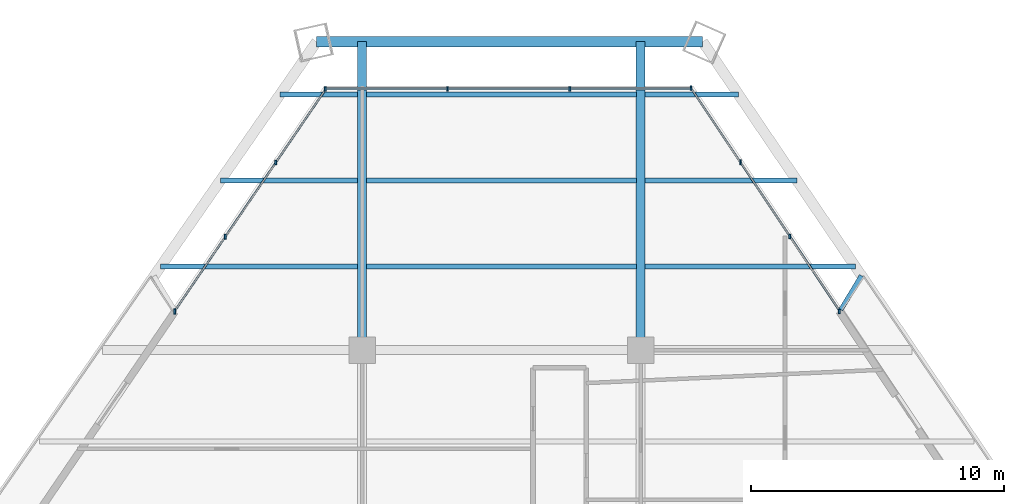
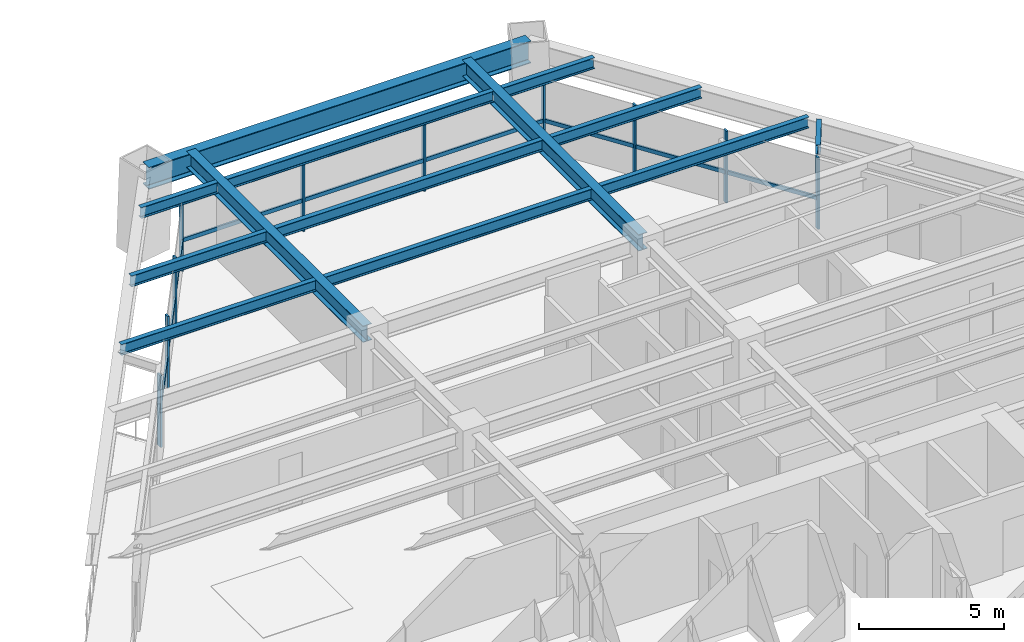
# One storey, part 8 of 14: 20 members, 13 beams, 3 elements without a shape of their own.
"""IFC4 building model written with IfcOpenShell, lengths in metres."""

from ifc_helpers import new_model, si_unit, direction, frame, origin, origin_2d, place, context, subcontext, project, spatial, rectangle, i_section, extrude, source, transform, mapped, material, material_profile, profile_set, type_object, type_shapes, element, aggregate, save


model = new_model("IFC4")

# Units and contexts
model_context = context("Model", 3, precision=1e-05, world=origin(), true_north=direction((0.0, 1.0)))
body_context = subcontext(model_context, "Body", "Model", "MODEL_VIEW")
ifc_project = project(units=[si_unit("LENGTHUNIT", "METRE"), si_unit("AREAUNIT", "SQUARE_METRE"), si_unit("VOLUMEUNIT", "CUBIC_METRE"), si_unit("PLANEANGLEUNIT", "RADIAN"), si_unit("MASSUNIT", "GRAM", prefix="KILO")], contexts=[model_context])

# Site, building, storey
site_placement = place(None, origin())
site = spatial("IfcSite", under=ifc_project, at=site_placement, CompositionType="ELEMENT")
building_placement = place(site_placement, origin())
building = spatial("IfcBuilding", under=site, at=building_placement, Name="Varnakhor Terracotta Tower", CompositionType="ELEMENT")
storey_placement = place(building_placement, frame((0.0, 0.0, 53.39990234375)))
storey = spatial("IfcBuildingStorey", under=building, at=storey_placement, Name="L12", CompositionType="ELEMENT", Elevation=53.39990234375)

# Beams
ifc_material_1 = material(Name="Steel S355", Category="steel")
ifc_material_profile_1 = material_profile(ifc_material_1, i_section(OverallWidth=0.19189453125, OverallDepth=0.462890625, WebThickness=0.010498046875, FlangeThickness=0.017578125, FilletRadius=0.01806640625, at=origin_2d()), Name="W18X60")
ifc_profile_set_1 = profile_set([ifc_material_profile_1], Name="Steel S355")
beam_type_1 = type_object("IfcBeamType", Name="JST-W18X60", PredefinedType="JOIST", material=ifc_profile_set_1)
shared_shape_1 = source(origin(), body_context, "Body", "SweptSolid", [
    extrude(i_section(OverallWidth=0.19189453125, OverallDepth=0.462890625, WebThickness=0.010498046875, FlangeThickness=0.017578125, FilletRadius=0.01806640625, at=origin_2d()), origin(), (0.0, 0.0, 1.0), 10.65283203125),
])
for number, where, z_axis, x_axis, name in (
    (1, (-5.326416015625, 34.800048828125, 3.218505859375), (1.0, 0.0, 0.0), (0.0, 1.0, 0.0), "L12 Composite Floor Joist 7-2"),
    (2, (-5.326416015625, 38.199951171875, 3.218505859375), (1.0, 0.0, 0.0), (0.0, 1.0, 0.0), "L12 Composite Floor Joist 8-2"),
    (3, (-5.326416015625, 41.60009765625, 3.218505859375), (1.0, 0.0, 0.0), (0.0, 1.0, 0.0), "L12 Composite Floor Joist 9-2"),
):
    element("IfcBeam", number, at=place(storey_placement, frame(where, z_axis=z_axis, x_axis=x_axis)), inside=storey, type_object=beam_type_1, Name=name, PredefinedType="JOIST", context=body_context, shape_type="MappedRepresentation", body=[
        mapped(shared_shape_1, transform((0.0, 0.0, 0.0), scale=1.0)),
    ])
ifc_material_profile_2 = material_profile(ifc_material_1, i_section(OverallWidth=0.41796875, OverallDepth=0.927001953125, WebThickness=0.01904296875, FlangeThickness=0.031982421875, FilletRadius=0.01806640625, at=origin_2d()), Name="W36X231")
ifc_profile_set_2 = profile_set([ifc_material_profile_2], Name="Steel S355")
beam_type_2 = type_object("IfcBeamType", Name="BM-W36X231", PredefinedType="BEAM", material=ifc_profile_set_2)
shared_shape_2 = source(origin(), body_context, "Body", "SweptSolid", [
    extrude(i_section(OverallWidth=0.41796875, OverallDepth=0.927001953125, WebThickness=0.01904296875, FlangeThickness=0.031982421875, FilletRadius=0.01806640625, at=origin_2d()), origin(), (0.0, 0.0, 1.0), 15.244384765625),
])
beam_1_placement = place(storey_placement, frame((7.948486328125, 43.68017578125, 2.986572265625), z_axis=(-1.0, 0.0, 0.0), x_axis=(0.0, -1.0, 0.0)))
element("IfcBeam", 4, at=beam_1_placement, inside=storey, type_object=beam_type_2, Name="L12 Perimeter Spandrel 5", PredefinedType="BEAM", context=body_context, shape_type="MappedRepresentation", body=[
    mapped(shared_shape_2, transform((0.0, 0.0, 0.0), scale=1.0)),
])
ifc_material_profile_3 = material_profile(ifc_material_1, i_section(OverallWidth=0.35498046875, OverallDepth=0.695068359375, WebThickness=0.014892578125, FlangeThickness=0.02490234375, FilletRadius=0.01806640625, at=origin_2d()), Name="W27X146")
ifc_profile_set_3 = profile_set([ifc_material_profile_3], Name="Steel S355")
beam_type_3 = type_object("IfcBeamType", Name="BM-W27X146", PredefinedType="BEAM", material=ifc_profile_set_3)
shared_shape_3 = source(origin(), body_context, "Body", "SweptSolid", [
    extrude(i_section(OverallWidth=0.35498046875, OverallDepth=0.695068359375, WebThickness=0.014892578125, FlangeThickness=0.02490234375, FilletRadius=0.01806640625, at=origin_2d()), origin(), (0.0, 0.0, 1.0), 12.18017578125),
])
for number, where, z_axis, x_axis, name in (
    (5, (-5.5, 31.5, 3.1025390625), (0.0, 1.0, 0.0), (-1.0, 0.0, 0.0), "L12 Primary Girder NS3-W"),
    (6, (5.5, 31.5, 3.1025390625), (0.0, 1.0, 0.0), (-1.0, 0.0, 0.0), "L12 Primary Girder NS3-E"),
):
    element("IfcBeam", number, at=place(storey_placement, frame(where, z_axis=z_axis, x_axis=x_axis)), inside=storey, type_object=beam_type_3, Name=name, PredefinedType="BEAM", context=body_context, shape_type="MappedRepresentation", body=[
        mapped(shared_shape_3, transform((0.0, 0.0, 0.0), scale=1.0)),
    ])
shared_shape_4 = source(origin(), body_context, "Body", "SweptSolid", [
    extrude(i_section(OverallWidth=0.19189453125, OverallDepth=0.462890625, WebThickness=0.010498046875, FlangeThickness=0.017578125, FilletRadius=0.01806640625, at=origin_2d()), origin(), (0.0, 0.0, 1.0), 7.784423828125),
])
beam_2_placement = place(storey_placement, frame((-13.4580078125, 34.800048828125, 3.218505859375), z_axis=(1.0, 0.0, 0.0), x_axis=(0.0, 1.0, 0.0)))
element("IfcBeam", 7, at=beam_2_placement, inside=storey, type_object=beam_type_1, Name="L12 Composite Floor Joist 7-1", PredefinedType="JOIST", context=body_context, shape_type="MappedRepresentation", body=[
    mapped(shared_shape_4, transform((0.0, 0.0, 0.0), scale=1.0)),
])
shared_shape_5 = source(origin(), body_context, "Body", "SweptSolid", [
    extrude(i_section(OverallWidth=0.19189453125, OverallDepth=0.462890625, WebThickness=0.010498046875, FlangeThickness=0.017578125, FilletRadius=0.01806640625, at=origin_2d()), origin(), (0.0, 0.0, 1.0), 8.30419921875),
])
beam_3_placement = place(storey_placement, frame((5.673583984375, 34.800048828125, 3.218505859375), z_axis=(1.0, 0.0, 0.0), x_axis=(0.0, 1.0, 0.0)))
element("IfcBeam", 8, at=beam_3_placement, inside=storey, type_object=beam_type_1, Name="L12 Composite Floor Joist 7-3", PredefinedType="JOIST", context=body_context, shape_type="MappedRepresentation", body=[
    mapped(shared_shape_5, transform((0.0, 0.0, 0.0), scale=1.0)),
])
shared_shape_6 = source(origin(), body_context, "Body", "SweptSolid", [
    extrude(i_section(OverallWidth=0.19189453125, OverallDepth=0.462890625, WebThickness=0.010498046875, FlangeThickness=0.017578125, FilletRadius=0.01806640625, at=origin_2d()), origin(), (0.0, 0.0, 1.0), 5.425048828125),
])
beam_4_placement = place(storey_placement, frame((-11.0986328125, 38.199951171875, 3.218505859375), z_axis=(1.0, 0.0, 0.0), x_axis=(0.0, 1.0, 0.0)))
element("IfcBeam", 9, at=beam_4_placement, inside=storey, type_object=beam_type_1, Name="L12 Composite Floor Joist 8-1", PredefinedType="JOIST", context=body_context, shape_type="MappedRepresentation", body=[
    mapped(shared_shape_6, transform((0.0, 0.0, 0.0), scale=1.0)),
])
shared_shape_7 = source(origin(), body_context, "Body", "SweptSolid", [
    extrude(i_section(OverallWidth=0.19189453125, OverallDepth=0.462890625, WebThickness=0.010498046875, FlangeThickness=0.017578125, FilletRadius=0.01806640625, at=origin_2d()), origin(), (0.0, 0.0, 1.0), 5.995849609375),
])
beam_5_placement = place(storey_placement, frame((5.673583984375, 38.199951171875, 3.218505859375), z_axis=(1.0, 0.0, 0.0), x_axis=(0.0, 1.0, 0.0)))
element("IfcBeam", 10, at=beam_5_placement, inside=storey, type_object=beam_type_1, Name="L12 Composite Floor Joist 8-3", PredefinedType="JOIST", context=body_context, shape_type="MappedRepresentation", body=[
    mapped(shared_shape_7, transform((0.0, 0.0, 0.0), scale=1.0)),
])
shared_shape_8 = source(origin(), body_context, "Body", "SweptSolid", [
    extrude(i_section(OverallWidth=0.19189453125, OverallDepth=0.462890625, WebThickness=0.010498046875, FlangeThickness=0.017578125, FilletRadius=0.01806640625, at=origin_2d()), origin(), (0.0, 0.0, 1.0), 3.06591796875),
])
beam_6_placement = place(storey_placement, frame((-8.739501953125, 41.60009765625, 3.218505859375), z_axis=(1.0, 0.0, 0.0), x_axis=(0.0, 1.0, 0.0)))
element("IfcBeam", 11, at=beam_6_placement, inside=storey, type_object=beam_type_1, Name="L12 Composite Floor Joist 9-1", PredefinedType="JOIST", context=body_context, shape_type="MappedRepresentation", body=[
    mapped(shared_shape_8, transform((0.0, 0.0, 0.0), scale=1.0)),
])
shared_shape_9 = source(origin(), body_context, "Body", "SweptSolid", [
    extrude(i_section(OverallWidth=0.19189453125, OverallDepth=0.462890625, WebThickness=0.010498046875, FlangeThickness=0.017578125, FilletRadius=0.01806640625, at=origin_2d()), origin(), (0.0, 0.0, 1.0), 3.6875),
])
beam_7_placement = place(storey_placement, frame((5.673583984375, 41.60009765625, 3.218505859375), z_axis=(1.0, 0.0, 0.0), x_axis=(0.0, 1.0, 0.0)))
element("IfcBeam", 12, at=beam_7_placement, inside=storey, type_object=beam_type_1, Name="L12 Composite Floor Joist 9-3", PredefinedType="JOIST", context=body_context, shape_type="MappedRepresentation", body=[
    mapped(shared_shape_9, transform((0.0, 0.0, 0.0), scale=1.0)),
])

# Curtain wall, members
ifc_material_2 = material(Name="Anodised Aluminium Curtain Wall System", Category="aluminium")
curtain_wall_type = type_object("IfcCurtainWallType", Name="CW-SYS-LOW-OFFICE", PredefinedType="NOTDEFINED", material=ifc_material_2)
curtain_wall_1_placement = place(storey_placement, origin())
curtain_wall_1 = element("IfcCurtainWall", 13, at=curtain_wall_1_placement, inside=storey, type_object=curtain_wall_type, Name="L12 W Facet Curtain Wall 2", PredefinedType="NOTDEFINED")
ifc_material_3 = material(Name="Anodised Aluminium 6063-T6", Category="aluminium")
ifc_material_profile_4 = material_profile(ifc_material_3, rectangle(XDim=0.074951171875, YDim=0.18505859375, at=origin_2d()), Name="ALU MULLION 75x185")
ifc_profile_set_4 = profile_set([ifc_material_profile_4], Name="Anodised Aluminium 6063-T6")
member_type_1 = type_object("IfcMemberType", Name="CWM-02", PredefinedType="MULLION", material=ifc_profile_set_4)
shared_shape_10 = source(origin(), body_context, "Body", "SweptSolid", [
    extrude(rectangle(XDim=0.074951171875, YDim=0.18505859375, at=origin_2d()), origin(), (0.0, 0.0, 1.0), 3.030029296875),
])
type_shapes(member_type_1, [shared_shape_10])
member_1_placement = place(storey_placement, frame((-12.896728515625, 33.050048828125, 0.0), z_axis=(0.0, 0.0, 1.0), x_axis=(1.0, 0.0, 0.0)))
member_1 = element("IfcMember", 14, at=member_1_placement, type_object=member_type_1, Name="L12 W Facet Curtain Wall 2 Mullion 1", PredefinedType="MULLION", context=body_context, shape_type="MappedRepresentation", body=[
    mapped(shared_shape_10, transform((0.0, 0.0, 0.0), scale=1.0)),
])
member_2_placement = place(storey_placement, frame((-10.900634765625, 35.98193359375, 0.0), z_axis=(0.0, 0.0, 1.0), x_axis=(1.0, 0.0, 0.0)))
member_2 = element("IfcMember", 15, at=member_2_placement, type_object=member_type_1, Name="L12 W Facet Curtain Wall 2 Mullion 2", PredefinedType="MULLION", context=body_context, shape_type="MappedRepresentation", body=[
    mapped(shared_shape_10, transform((0.0, 0.0, 0.0), scale=1.0)),
])
member_3_placement = place(storey_placement, frame((-8.904541015625, 38.913818359375, 0.0), z_axis=(0.0, 0.0, 1.0), x_axis=(1.0, 0.0, 0.0)))
member_3 = element("IfcMember", 16, at=member_3_placement, type_object=member_type_1, Name="L12 W Facet Curtain Wall 2 Mullion 3", PredefinedType="MULLION", context=body_context, shape_type="MappedRepresentation", body=[
    mapped(shared_shape_10, transform((0.0, 0.0, 0.0), scale=1.0)),
])
member_4_placement = place(storey_placement, frame((-12.89697265625, 33.013916015625, 0.0), z_axis=(0.0, 0.0, 1.0), x_axis=(1.0, 0.0, 0.0)))
member_4 = element("IfcMember", 17, at=member_4_placement, type_object=member_type_1, Name="L12 W Loggia Jamb Closure Mullion 2", PredefinedType="MULLION", context=body_context, shape_type="MappedRepresentation", body=[
    mapped(shared_shape_10, transform((0.0, 0.0, 0.0), scale=1.0)),
])

curtain_wall_2_placement = place(storey_placement, origin())
curtain_wall_2 = element("IfcCurtainWall", 18, at=curtain_wall_2_placement, inside=storey, type_object=curtain_wall_type, Name="L12 Facet Curtain Wall 2", PredefinedType="NOTDEFINED")
member_5_placement = place(storey_placement, frame((-6.9609375, 41.818115234375, 0.0), z_axis=(0.0, 0.0, 1.0), x_axis=(1.0, 0.0, 0.0)))
member_5 = element("IfcMember", 19, at=member_5_placement, type_object=member_type_1, Name="L12 Facet Curtain Wall 2 Mullion 1", PredefinedType="MULLION", context=body_context, shape_type="MappedRepresentation", body=[
    mapped(shared_shape_10, transform((0.0, 0.0, 0.0), scale=1.0)),
])
member_6_placement = place(storey_placement, frame((-2.126953125, 41.818115234375, 0.0), z_axis=(0.0, 0.0, 1.0), x_axis=(1.0, 0.0, 0.0)))
member_6 = element("IfcMember", 20, at=member_6_placement, type_object=member_type_1, Name="L12 Facet Curtain Wall 2 Mullion 2", PredefinedType="MULLION", context=body_context, shape_type="MappedRepresentation", body=[
    mapped(shared_shape_10, transform((0.0, 0.0, 0.0), scale=1.0)),
])
member_7_placement = place(storey_placement, frame((2.70703125, 41.818115234375, 0.0), z_axis=(0.0, 0.0, 1.0), x_axis=(1.0, 0.0, 0.0)))
member_7 = element("IfcMember", 21, at=member_7_placement, type_object=member_type_1, Name="L12 Facet Curtain Wall 2 Mullion 3", PredefinedType="MULLION", context=body_context, shape_type="MappedRepresentation", body=[
    mapped(shared_shape_10, transform((0.0, 0.0, 0.0), scale=1.0)),
])

curtain_wall_3_placement = place(storey_placement, origin())
curtain_wall_3 = element("IfcCurtainWall", 22, at=curtain_wall_3_placement, inside=storey, type_object=curtain_wall_type, Name="L12 E Facet Curtain Wall 1", PredefinedType="NOTDEFINED")
member_8_placement = place(storey_placement, frame((7.48779296875, 41.8466796875, 0.0), z_axis=(0.0, 0.0, 1.0), x_axis=(1.0, 0.0, 0.0)))
member_8 = element("IfcMember", 23, at=member_8_placement, type_object=member_type_1, Name="L12 E Facet Curtain Wall 1 Mullion 1", PredefinedType="MULLION", context=body_context, shape_type="MappedRepresentation", body=[
    mapped(shared_shape_10, transform((0.0, 0.0, 0.0), scale=1.0)),
])
member_9_placement = place(storey_placement, frame((9.4404296875, 38.919189453125, 0.0), z_axis=(0.0, 0.0, 1.0), x_axis=(1.0, 0.0, 0.0)))
member_9 = element("IfcMember", 24, at=member_9_placement, type_object=member_type_1, Name="L12 E Facet Curtain Wall 1 Mullion 2", PredefinedType="MULLION", context=body_context, shape_type="MappedRepresentation", body=[
    mapped(shared_shape_10, transform((0.0, 0.0, 0.0), scale=1.0)),
])
member_10_placement = place(storey_placement, frame((11.392822265625, 35.99169921875, 0.0), z_axis=(0.0, 0.0, 1.0), x_axis=(1.0, 0.0, 0.0)))
member_10 = element("IfcMember", 25, at=member_10_placement, type_object=member_type_1, Name="L12 E Facet Curtain Wall 1 Mullion 3", PredefinedType="MULLION", context=body_context, shape_type="MappedRepresentation", body=[
    mapped(shared_shape_10, transform((0.0, 0.0, 0.0), scale=1.0)),
])
member_11_placement = place(storey_placement, frame((13.345458984375, 33.0283203125, 0.0), z_axis=(0.0, 0.0, 1.0), x_axis=(1.0, 0.0, 0.0)))
member_11 = element("IfcMember", 26, at=member_11_placement, type_object=member_type_1, Name="L12 E Loggia Jamb Closure Mullion 1", PredefinedType="MULLION", context=body_context, shape_type="MappedRepresentation", body=[
    mapped(shared_shape_10, transform((0.0, 0.0, 0.0), scale=1.0)),
])

# Member
ifc_material_profile_5 = material_profile(ifc_material_3, rectangle(XDim=0.074951171875, YDim=0.1650390625, at=origin_2d()), Name="ALU TRANSOM 75x165")
ifc_profile_set_5 = profile_set([ifc_material_profile_5], Name="Anodised Aluminium 6063-T6")
member_type_2 = type_object("IfcMemberType", Name="CWT-02", PredefinedType="USERDEFINED", material=ifc_profile_set_5)
shared_shape_11 = source(origin(), body_context, "Body", "SweptSolid", [
    extrude(rectangle(XDim=0.074951171875, YDim=0.1650390625, at=origin_2d()), origin(), (0.0, 0.0, 1.0), 3.546875),
])
member_12_placement = place(storey_placement, frame((-12.896728515625, 33.050048828125, 1.272705078125), z_axis=(0.562774966435, 0.826610148228, 0.0), x_axis=(-0.826610148228, 0.562774966435, 0.0)))
member_12 = element("IfcMember", 27, at=member_12_placement, type_object=member_type_2, Name="L12 W Facet Curtain Wall 2 Transom 1", ObjectType="TRANSOM", PredefinedType="USERDEFINED", context=body_context, shape_type="MappedRepresentation", body=[
    mapped(shared_shape_11, transform((0.0, 0.0, 0.0), scale=1.0)),
])

member_13_placement = place(storey_placement, frame((-10.900634765625, 35.98193359375, 1.272705078125), z_axis=(0.562774966435, 0.826610148228, 0.0), x_axis=(-0.826610148228, 0.562774966435, 0.0)))
member_13 = element("IfcMember", 28, at=member_13_placement, type_object=member_type_2, Name="L12 W Facet Curtain Wall 2 Transom 2", ObjectType="TRANSOM", PredefinedType="USERDEFINED", context=body_context, shape_type="MappedRepresentation", body=[
    mapped(shared_shape_11, transform((0.0, 0.0, 0.0), scale=1.0)),
])

shared_shape_12 = source(origin(), body_context, "Body", "SweptSolid", [
    extrude(rectangle(XDim=0.074951171875, YDim=0.1650390625, at=origin_2d()), origin(), (0.0, 0.0, 1.0), 3.546630859375),
])
member_14_placement = place(storey_placement, frame((-8.904541015625, 38.913818359375, 1.272705078125), z_axis=(0.562727931495, 0.826642168725, 0.0), x_axis=(-0.826642168725, 0.562727931495, 0.0)))
member_14 = element("IfcMember", 29, at=member_14_placement, type_object=member_type_2, Name="L12 W Facet Curtain Wall 2 Transom 3", ObjectType="TRANSOM", PredefinedType="USERDEFINED", context=body_context, shape_type="MappedRepresentation", body=[
    mapped(shared_shape_12, transform((0.0, 0.0, 0.0), scale=1.0)),
])

aggregate(curtain_wall_1, [member_1, member_12, member_2, member_13, member_3, member_14, member_4])

shared_shape_13 = source(origin(), body_context, "Body", "SweptSolid", [
    extrude(rectangle(XDim=0.074951171875, YDim=0.1650390625, at=origin_2d()), origin(), (0.0, 0.0, 1.0), 4.833984375),
])
member_15_placement = place(storey_placement, frame((-6.9609375, 41.818115234375, 1.272705078125), z_axis=(1.0, 0.0, 0.0), x_axis=(0.0, 1.0, 0.0)))
member_15 = element("IfcMember", 30, at=member_15_placement, type_object=member_type_2, Name="L12 Facet Curtain Wall 2 Transom 1", ObjectType="TRANSOM", PredefinedType="USERDEFINED", context=body_context, shape_type="MappedRepresentation", body=[
    mapped(shared_shape_13, transform((0.0, 0.0, 0.0), scale=1.0)),
])

member_16_placement = place(storey_placement, frame((-2.126953125, 41.818115234375, 1.272705078125), z_axis=(1.0, 0.0, 0.0), x_axis=(0.0, 1.0, 0.0)))
member_16 = element("IfcMember", 31, at=member_16_placement, type_object=member_type_2, Name="L12 Facet Curtain Wall 2 Transom 2", ObjectType="TRANSOM", PredefinedType="USERDEFINED", context=body_context, shape_type="MappedRepresentation", body=[
    mapped(shared_shape_13, transform((0.0, 0.0, 0.0), scale=1.0)),
])

member_17_placement = place(storey_placement, frame((2.70703125, 41.818115234375, 1.272705078125), z_axis=(1.0, 0.0, 0.0), x_axis=(0.0, 1.0, 0.0)))
member_17 = element("IfcMember", 32, at=member_17_placement, type_object=member_type_2, Name="L12 Facet Curtain Wall 2 Transom 3", ObjectType="TRANSOM", PredefinedType="USERDEFINED", context=body_context, shape_type="MappedRepresentation", body=[
    mapped(shared_shape_13, transform((0.0, 0.0, 0.0), scale=1.0)),
])

aggregate(curtain_wall_2, [member_5, member_15, member_6, member_16, member_7, member_17])

shared_shape_14 = source(origin(), body_context, "Body", "SweptSolid", [
    extrude(rectangle(XDim=0.074951171875, YDim=0.1650390625, at=origin_2d()), origin(), (0.0, 0.0, 1.0), 3.51904296875),
])
member_18_placement = place(storey_placement, frame((7.48779296875, 41.8466796875, 1.272705078125), z_axis=(0.554892307575, -0.831922188064, 0.0), x_axis=(0.831922188064, 0.554892307575, 0.0)))
member_18 = element("IfcMember", 33, at=member_18_placement, type_object=member_type_2, Name="L12 E Facet Curtain Wall 1 Transom 1", ObjectType="TRANSOM", PredefinedType="USERDEFINED", context=body_context, shape_type="MappedRepresentation", body=[
    mapped(shared_shape_14, transform((0.0, 0.0, 0.0), scale=1.0)),
])

shared_shape_15 = source(origin(), body_context, "Body", "SweptSolid", [
    extrude(rectangle(XDim=0.074951171875, YDim=0.1650390625, at=origin_2d()), origin(), (0.0, 0.0, 1.0), 3.518798828125),
])
member_19_placement = place(storey_placement, frame((9.4404296875, 38.919189453125, 1.272705078125), z_axis=(0.554844288057, -0.831954215093, 0.0), x_axis=(0.831954215093, 0.554844288057, 0.0)))
member_19 = element("IfcMember", 34, at=member_19_placement, type_object=member_type_2, Name="L12 E Facet Curtain Wall 1 Transom 2", ObjectType="TRANSOM", PredefinedType="USERDEFINED", context=body_context, shape_type="MappedRepresentation", body=[
    mapped(shared_shape_15, transform((0.0, 0.0, 0.0), scale=1.0)),
])

member_20_placement = place(storey_placement, frame((11.392822265625, 35.99169921875, 1.272705078125), z_axis=(0.554844288057, -0.831954215093, 0.0), x_axis=(0.831954215093, 0.554844288057, 0.0)))
member_20 = element("IfcMember", 35, at=member_20_placement, type_object=member_type_2, Name="L12 E Facet Curtain Wall 1 Transom 3", ObjectType="TRANSOM", PredefinedType="USERDEFINED", context=body_context, shape_type="MappedRepresentation", body=[
    mapped(shared_shape_15, transform((0.0, 0.0, 0.0), scale=1.0)),
])

aggregate(curtain_wall_3, [member_8, member_18, member_9, member_19, member_10, member_20, member_11])

# Beam
ifc_material_profile_6 = material_profile(ifc_material_1, i_section(OverallWidth=0.179931640625, OverallDepth=0.39990234375, WebThickness=0.008544921875, FlangeThickness=0.013427734375, FilletRadius=0.01806640625, at=origin_2d()), Name="IPE400")
ifc_profile_set_6 = profile_set([ifc_material_profile_6], Name="Steel S355")
beam_type_4 = type_object("IfcBeamType", Name="JST-IPE400", PredefinedType="JOIST", material=ifc_profile_set_6)
shared_shape_16 = source(origin(), body_context, "Body", "SweptSolid", [
    extrude(i_section(OverallWidth=0.179931640625, OverallDepth=0.39990234375, WebThickness=0.008544921875, FlangeThickness=0.013427734375, FilletRadius=0.01806640625, at=origin_2d()), origin(), (0.0, 0.0, 1.0), 1.5791015625),
])
beam_8_placement = place(storey_placement, frame((13.40234375, 33.093017578125, 3.25), z_axis=(0.517153393497, 0.85589273136, 0.0), x_axis=(-0.85589273136, 0.517153393497, 0.0)))
element("IfcBeam", 36, at=beam_8_placement, inside=storey, type_object=beam_type_4, Name="L13 E Loggia Tie Beam 1", PredefinedType="JOIST", context=body_context, shape_type="MappedRepresentation", body=[
    mapped(shared_shape_16, transform((0.0, 0.0, 0.0), scale=1.0)),
])

save(model, "model.ifc")
